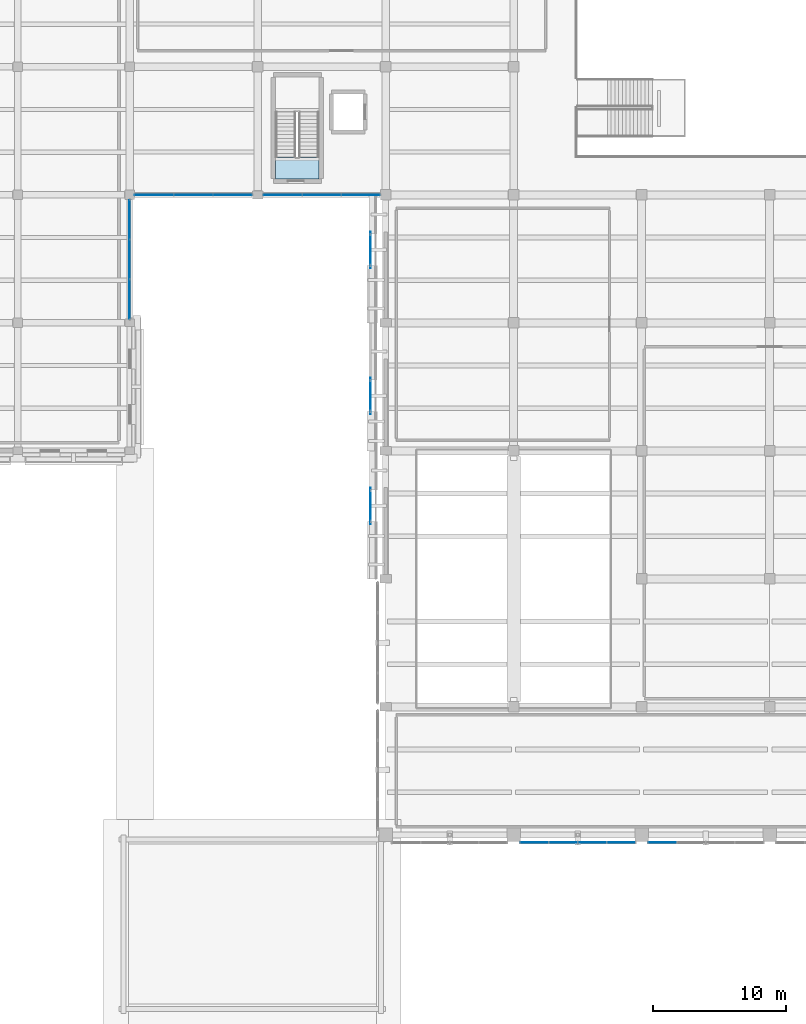
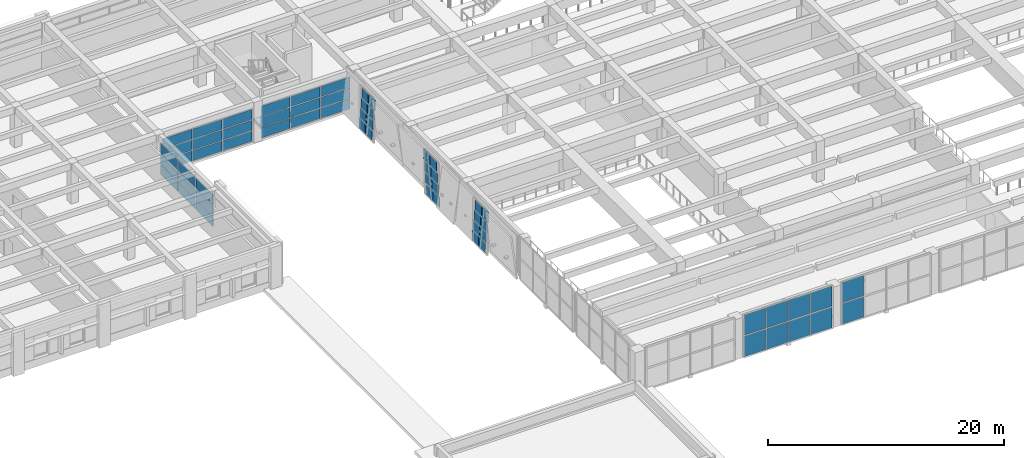
# One storey, part 25 of 49: 61 plates, 1 slab, 8 elements without a shape of their own.
"""IFC4 building model written with IfcOpenShell, lengths in metres."""

from ifc_helpers import new_model, si_unit, direction, frame, origin, origin_2d, place, context, subcontext, project, spatial, polyline, rectangle, outline, extrude, material, layer, layer_set, type_object, element, aggregate, save


model = new_model("IFC4")

# Units and contexts
model_context = context("Model", 3, precision=1e-05, world=origin(), true_north=direction((0.0, 1.0)))
body_context = subcontext(model_context, "Body", "Model", "MODEL_VIEW")
ifc_project = project(units=[si_unit("LENGTHUNIT", "METRE"), si_unit("AREAUNIT", "SQUARE_METRE"), si_unit("VOLUMEUNIT", "CUBIC_METRE"), si_unit("PLANEANGLEUNIT", "RADIAN"), si_unit("MASSUNIT", "GRAM", prefix="KILO")], contexts=[model_context])

# Site, building, storey
site_placement = place(None, origin())
site = spatial("IfcSite", under=ifc_project, at=site_placement, CompositionType="ELEMENT")
building_placement = place(site_placement, origin())
building = spatial("IfcBuilding", under=site, at=building_placement, Name="Bempovik Park Faculty of Sciences", CompositionType="ELEMENT")
storey_placement = place(building_placement, frame((0.0, 0.0, 5.39990234375)))
storey = spatial("IfcBuildingStorey", under=building, at=storey_placement, Name="L01", CompositionType="ELEMENT", Elevation=5.39990234375)

# Curtain wall, plates
ifc_material_1 = material(Name="Tempered laminated low-E glass", Category="glass")
ifc_layer_1 = layer(ifc_material_1, 0.159912109375)
ifc_layer_set_1 = layer_set([ifc_layer_1], Name="Tempered laminated low-E glass")
curtain_wall_type_1 = type_object("IfcCurtainWallType", Name="CW-48 Curtain 7200x4200", PredefinedType="USERDEFINED", material=ifc_layer_set_1)
curtain_wall_1_placement = place(storey_placement, origin())
curtain_wall_1 = element("IfcCurtainWall", 1, at=curtain_wall_1_placement, inside=storey, type_object=curtain_wall_type_1, Name="L01 Recessed Entrance Foyer Curtain Wall (69.6-79.2)", ObjectType="UNITISED CURTAIN WALL", PredefinedType="USERDEFINED")
ifc_layer_2 = layer(ifc_material_1, 0.0400390625)
ifc_layer_set_2 = layer_set([ifc_layer_2], Name="Tempered laminated low-E glass")
plate_type_1 = type_object("IfcPlateType", Name="CP-15 Curtain Panel 40mm", PredefinedType="CURTAIN_PANEL", material=ifc_layer_set_2)
plate_1_placement = place(storey_placement, frame((71.146484375, 19.219970703125, 0.1201171875), z_axis=(0.0, 0.0, 1.0), x_axis=(1.0, 0.0, 0.0)))
plate_1 = element("IfcPlate", 2, at=plate_1_placement, type_object=plate_type_1, Name="CW-FOY-L01-198-696 Panel 0-0", PredefinedType="CURTAIN_PANEL", context=body_context, shape_type="SweptSolid", body=[
    extrude(rectangle(XDim=2.089111328125, YDim=0.035888671875, at=origin_2d()), origin(), (0.0, 0.0, 1.0), 2.1298828125),
])
plate_2_placement = place(storey_placement, frame((71.146484375, 19.219970703125, 2.330078125), z_axis=(0.0, 0.0, 1.0), x_axis=(1.0, 0.0, 0.0)))
plate_2 = element("IfcPlate", 3, at=plate_2_placement, type_object=plate_type_1, Name="CW-FOY-L01-198-696 Panel 0-1", PredefinedType="CURTAIN_PANEL", context=body_context, shape_type="SweptSolid", body=[
    extrude(rectangle(XDim=2.089111328125, YDim=0.035888671875, at=origin_2d()), origin(), (0.0, 0.0, 1.0), 2.1298828125),
])
plate_3_placement = place(storey_placement, frame((73.3154296875, 19.219970703125, 0.1201171875), z_axis=(0.0, 0.0, 1.0), x_axis=(1.0, 0.0, 0.0)))
plate_3 = element("IfcPlate", 4, at=plate_3_placement, type_object=plate_type_1, Name="CW-FOY-L01-198-696 Panel 1-0", PredefinedType="CURTAIN_PANEL", context=body_context, shape_type="SweptSolid", body=[
    extrude(rectangle(XDim=2.089111328125, YDim=0.035888671875, at=origin_2d()), origin(), (0.0, 0.0, 1.0), 2.1298828125),
])
plate_4_placement = place(storey_placement, frame((73.3154296875, 19.219970703125, 2.330078125), z_axis=(0.0, 0.0, 1.0), x_axis=(1.0, 0.0, 0.0)))
plate_4 = element("IfcPlate", 5, at=plate_4_placement, type_object=plate_type_1, Name="CW-FOY-L01-198-696 Panel 1-1", PredefinedType="CURTAIN_PANEL", context=body_context, shape_type="SweptSolid", body=[
    extrude(rectangle(XDim=2.089111328125, YDim=0.035888671875, at=origin_2d()), origin(), (0.0, 0.0, 1.0), 2.1298828125),
])
plate_5_placement = place(storey_placement, frame((75.484619140625, 19.219970703125, 0.1201171875), z_axis=(0.0, 0.0, 1.0), x_axis=(1.0, 0.0, 0.0)))
plate_5 = element("IfcPlate", 6, at=plate_5_placement, type_object=plate_type_1, Name="CW-FOY-L01-198-696 Panel 2-0", PredefinedType="CURTAIN_PANEL", context=body_context, shape_type="SweptSolid", body=[
    extrude(rectangle(XDim=2.089111328125, YDim=0.035888671875, at=origin_2d()), origin(), (0.0, 0.0, 1.0), 2.1298828125),
])
plate_6_placement = place(storey_placement, frame((75.484619140625, 19.219970703125, 2.330078125), z_axis=(0.0, 0.0, 1.0), x_axis=(1.0, 0.0, 0.0)))
plate_6 = element("IfcPlate", 7, at=plate_6_placement, type_object=plate_type_1, Name="CW-FOY-L01-198-696 Panel 2-1", PredefinedType="CURTAIN_PANEL", context=body_context, shape_type="SweptSolid", body=[
    extrude(rectangle(XDim=2.089111328125, YDim=0.035888671875, at=origin_2d()), origin(), (0.0, 0.0, 1.0), 2.1298828125),
])
plate_7_placement = place(storey_placement, frame((77.653564453125, 19.219970703125, 0.1201171875), z_axis=(0.0, 0.0, 1.0), x_axis=(1.0, 0.0, 0.0)))
plate_7 = element("IfcPlate", 8, at=plate_7_placement, type_object=plate_type_1, Name="CW-FOY-L01-198-696 Panel 3-0", PredefinedType="CURTAIN_PANEL", context=body_context, shape_type="SweptSolid", body=[
    extrude(rectangle(XDim=2.089111328125, YDim=0.035888671875, at=origin_2d()), origin(), (0.0, 0.0, 1.0), 2.1298828125),
])
plate_8_placement = place(storey_placement, frame((77.653564453125, 19.219970703125, 2.330078125), z_axis=(0.0, 0.0, 1.0), x_axis=(1.0, 0.0, 0.0)))
plate_8 = element("IfcPlate", 9, at=plate_8_placement, type_object=plate_type_1, Name="CW-FOY-L01-198-696 Panel 3-1", PredefinedType="CURTAIN_PANEL", context=body_context, shape_type="SweptSolid", body=[
    extrude(rectangle(XDim=2.089111328125, YDim=0.035888671875, at=origin_2d()), origin(), (0.0, 0.0, 1.0), 2.1298828125),
])
aggregate(curtain_wall_1, [plate_1, plate_2, plate_3, plate_4, plate_5, plate_6, plate_7, plate_8])

curtain_wall_2_placement = place(storey_placement, origin())
curtain_wall_2 = element("IfcCurtainWall", 10, at=curtain_wall_2_placement, inside=storey, type_object=curtain_wall_type_1, Name="L01 Recessed Entrance Foyer Curtain Wall (79.2-88.8)", ObjectType="UNITISED CURTAIN WALL", PredefinedType="USERDEFINED")
plate_9_placement = place(storey_placement, frame((80.74658203125, 19.219970703125, 0.1201171875), z_axis=(0.0, 0.0, 1.0), x_axis=(1.0, 0.0, 0.0)))
plate_9 = element("IfcPlate", 11, at=plate_9_placement, type_object=plate_type_1, Name="CW-FOY-L01-198-792 Panel 0-0", PredefinedType="CURTAIN_PANEL", context=body_context, shape_type="SweptSolid", body=[
    extrude(rectangle(XDim=2.089111328125, YDim=0.035888671875, at=origin_2d()), origin(), (0.0, 0.0, 1.0), 2.1298828125),
])
plate_10_placement = place(storey_placement, frame((80.74658203125, 19.219970703125, 2.330078125), z_axis=(0.0, 0.0, 1.0), x_axis=(1.0, 0.0, 0.0)))
plate_10 = element("IfcPlate", 12, at=plate_10_placement, type_object=plate_type_1, Name="CW-FOY-L01-198-792 Panel 0-1", PredefinedType="CURTAIN_PANEL", context=body_context, shape_type="SweptSolid", body=[
    extrude(rectangle(XDim=2.089111328125, YDim=0.035888671875, at=origin_2d()), origin(), (0.0, 0.0, 1.0), 2.1298828125),
])
aggregate(curtain_wall_2, [plate_9, plate_10])

ifc_layer_3 = layer(ifc_material_1, 0.159912109375)
ifc_layer_set_3 = layer_set([ifc_layer_3], Name="Tempered laminated low-E glass")
curtain_wall_type_2 = type_object("IfcCurtainWallType", Name="CW-52 Curtain 6600x4100", PredefinedType="USERDEFINED", material=ifc_layer_set_3)
curtain_wall_3_placement = place(storey_placement, origin())
curtain_wall_3 = element("IfcCurtainWall", 13, at=curtain_wall_3_placement, inside=storey, type_object=curtain_wall_type_2, Name="L01 Unitised Curtain Wall (67.8,40.8)", ObjectType="UNITISED CURTAIN WALL", PredefinedType="USERDEFINED")
ifc_layer_4 = layer(ifc_material_1, 0.033935546875)
ifc_layer_set_4 = layer_set([ifc_layer_4], Name="Tempered laminated low-E glass")
plate_type_2 = type_object("IfcPlateType", Name="CP-19 Curtain Panel 34mm", PredefinedType="CURTAIN_PANEL", material=ifc_layer_set_4)
plate_11_placement = place(storey_placement, frame((42.634765625, 67.800048828125, 1.1669921875), z_axis=(0.0, 0.0, 1.0), x_axis=(1.0, 0.0, 0.0)))
plate_11 = element("IfcPlate", 14, at=plate_11_placement, type_object=plate_type_2, Name="CW-BAY-L01-678-408 Panel 0-1", PredefinedType="CURTAIN_PANEL", context=body_context, shape_type="SweptSolid", body=[
    extrude(rectangle(XDim=2.865234375, YDim=0.035888671875, at=origin_2d()), origin(), (0.0, 0.0, 1.0), 1.046630859375),
])
plate_12_placement = place(storey_placement, frame((42.634765625, 67.800048828125, 2.29345703125), z_axis=(0.0, 0.0, 1.0), x_axis=(1.0, 0.0, 0.0)))
plate_12 = element("IfcPlate", 15, at=plate_12_placement, type_object=plate_type_2, Name="CW-BAY-L01-678-408 Panel 0-2", PredefinedType="CURTAIN_PANEL", context=body_context, shape_type="SweptSolid", body=[
    extrude(rectangle(XDim=2.865234375, YDim=0.035888671875, at=origin_2d()), origin(), (0.0, 0.0, 1.0), 1.046630859375),
])
plate_13_placement = place(storey_placement, frame((45.580078125, 67.800048828125, 1.1669921875), z_axis=(0.0, 0.0, 1.0), x_axis=(1.0, 0.0, 0.0)))
plate_13 = element("IfcPlate", 16, at=plate_13_placement, type_object=plate_type_2, Name="CW-BAY-L01-678-408 Panel 1-1", PredefinedType="CURTAIN_PANEL", context=body_context, shape_type="SweptSolid", body=[
    extrude(rectangle(XDim=2.865234375, YDim=0.035888671875, at=origin_2d()), origin(), (0.0, 0.0, 1.0), 1.046630859375),
])
plate_14_placement = place(storey_placement, frame((45.580078125, 67.800048828125, 2.29345703125), z_axis=(0.0, 0.0, 1.0), x_axis=(1.0, 0.0, 0.0)))
plate_14 = element("IfcPlate", 17, at=plate_14_placement, type_object=plate_type_2, Name="CW-BAY-L01-678-408 Panel 1-2", PredefinedType="CURTAIN_PANEL", context=body_context, shape_type="SweptSolid", body=[
    extrude(rectangle(XDim=2.865234375, YDim=0.035888671875, at=origin_2d()), origin(), (0.0, 0.0, 1.0), 1.046630859375),
])
plate_15_placement = place(storey_placement, frame((48.525390625, 67.800048828125, 1.1669921875), z_axis=(0.0, 0.0, 1.0), x_axis=(1.0, 0.0, 0.0)))
plate_15 = element("IfcPlate", 18, at=plate_15_placement, type_object=plate_type_2, Name="CW-BAY-L01-678-408 Panel 2-1", PredefinedType="CURTAIN_PANEL", context=body_context, shape_type="SweptSolid", body=[
    extrude(rectangle(XDim=2.865234375, YDim=0.035888671875, at=origin_2d()), origin(), (0.0, 0.0, 1.0), 1.046630859375),
])
plate_16_placement = place(storey_placement, frame((48.525390625, 67.800048828125, 2.29345703125), z_axis=(0.0, 0.0, 1.0), x_axis=(1.0, 0.0, 0.0)))
plate_16 = element("IfcPlate", 19, at=plate_16_placement, type_object=plate_type_2, Name="CW-BAY-L01-678-408 Panel 2-2", PredefinedType="CURTAIN_PANEL", context=body_context, shape_type="SweptSolid", body=[
    extrude(rectangle(XDim=2.865234375, YDim=0.035888671875, at=origin_2d()), origin(), (0.0, 0.0, 1.0), 1.046630859375),
])

curtain_wall_4_placement = place(storey_placement, origin())
curtain_wall_4 = element("IfcCurtainWall", 20, at=curtain_wall_4_placement, inside=storey, type_object=curtain_wall_type_2, Name="L01 Unitised Curtain Wall (67.8,50.4)", ObjectType="UNITISED CURTAIN WALL", PredefinedType="USERDEFINED")
plate_17_placement = place(storey_placement, frame((52.26806640625, 67.800048828125, 1.1669921875), z_axis=(0.0, 0.0, 1.0), x_axis=(1.0, 0.0, 0.0)))
plate_17 = element("IfcPlate", 21, at=plate_17_placement, type_object=plate_type_2, Name="CW-BAY-L01-678-504 Panel 0-1", PredefinedType="CURTAIN_PANEL", context=body_context, shape_type="SweptSolid", body=[
    extrude(rectangle(XDim=2.85205078125, YDim=0.035888671875, at=origin_2d()), origin(), (0.0, 0.0, 1.0), 1.046630859375),
])
plate_18_placement = place(storey_placement, frame((52.26806640625, 67.800048828125, 2.29345703125), z_axis=(0.0, 0.0, 1.0), x_axis=(1.0, 0.0, 0.0)))
plate_18 = element("IfcPlate", 22, at=plate_18_placement, type_object=plate_type_2, Name="CW-BAY-L01-678-504 Panel 0-2", PredefinedType="CURTAIN_PANEL", context=body_context, shape_type="SweptSolid", body=[
    extrude(rectangle(XDim=2.85205078125, YDim=0.035888671875, at=origin_2d()), origin(), (0.0, 0.0, 1.0), 1.046630859375),
])
plate_19_placement = place(storey_placement, frame((55.199951171875, 67.800048828125, 1.1669921875), z_axis=(0.0, 0.0, 1.0), x_axis=(1.0, 0.0, 0.0)))
plate_19 = element("IfcPlate", 23, at=plate_19_placement, type_object=plate_type_2, Name="CW-BAY-L01-678-504 Panel 1-1", PredefinedType="CURTAIN_PANEL", context=body_context, shape_type="SweptSolid", body=[
    extrude(rectangle(XDim=2.85205078125, YDim=0.035888671875, at=origin_2d()), origin(), (0.0, 0.0, 1.0), 1.046630859375),
])
plate_20_placement = place(storey_placement, frame((55.199951171875, 67.800048828125, 2.29345703125), z_axis=(0.0, 0.0, 1.0), x_axis=(1.0, 0.0, 0.0)))
plate_20 = element("IfcPlate", 24, at=plate_20_placement, type_object=plate_type_2, Name="CW-BAY-L01-678-504 Panel 1-2", PredefinedType="CURTAIN_PANEL", context=body_context, shape_type="SweptSolid", body=[
    extrude(rectangle(XDim=2.85205078125, YDim=0.035888671875, at=origin_2d()), origin(), (0.0, 0.0, 1.0), 1.046630859375),
])
plate_21_placement = place(storey_placement, frame((58.132080078125, 67.800048828125, 1.1669921875), z_axis=(0.0, 0.0, 1.0), x_axis=(1.0, 0.0, 0.0)))
plate_21 = element("IfcPlate", 25, at=plate_21_placement, type_object=plate_type_2, Name="CW-BAY-L01-678-504 Panel 2-1", PredefinedType="CURTAIN_PANEL", context=body_context, shape_type="SweptSolid", body=[
    extrude(rectangle(XDim=2.85205078125, YDim=0.035888671875, at=origin_2d()), origin(), (0.0, 0.0, 1.0), 1.046630859375),
])
plate_22_placement = place(storey_placement, frame((58.132080078125, 67.800048828125, 2.29345703125), z_axis=(0.0, 0.0, 1.0), x_axis=(1.0, 0.0, 0.0)))
plate_22 = element("IfcPlate", 26, at=plate_22_placement, type_object=plate_type_2, Name="CW-BAY-L01-678-504 Panel 2-2", PredefinedType="CURTAIN_PANEL", context=body_context, shape_type="SweptSolid", body=[
    extrude(rectangle(XDim=2.85205078125, YDim=0.035888671875, at=origin_2d()), origin(), (0.0, 0.0, 1.0), 1.046630859375),
])

ifc_layer_5 = layer(ifc_material_1, 0.159912109375)
ifc_layer_set_5 = layer_set([ifc_layer_5], Name="Tempered laminated low-E glass")
curtain_wall_type_3 = type_object("IfcCurtainWallType", Name="CW-42 Curtain 6400x3700", PredefinedType="USERDEFINED", material=ifc_layer_set_5)
curtain_wall_5_placement = place(storey_placement, origin())
curtain_wall_5 = element("IfcCurtainWall", 27, at=curtain_wall_5_placement, inside=storey, type_object=curtain_wall_type_3, Name="L01 Unitised Curtain Wall (40.8,58.2)", ObjectType="UNITISED CURTAIN WALL", PredefinedType="USERDEFINED")
ifc_layer_6 = layer(ifc_material_1, 0.028076171875)
ifc_layer_set_6 = layer_set([ifc_layer_6], Name="Tempered laminated low-E glass")
plate_type_3 = type_object("IfcPlateType", Name="CP-20 Curtain Panel 28mm", PredefinedType="CURTAIN_PANEL", material=ifc_layer_set_6)
plate_23_placement = place(storey_placement, frame((40.800048828125, 59.96630859375, 1.1669921875), z_axis=(0.0, 0.0, 1.0), x_axis=(0.0, 1.0, 0.0)))
plate_23 = element("IfcPlate", 28, at=plate_23_placement, type_object=plate_type_3, Name="CW-BAY-L01-408-582 Panel 0-1", PredefinedType="CURTAIN_PANEL", context=body_context, shape_type="SweptSolid", body=[
    extrude(rectangle(XDim=2.90869140625, YDim=0.035888671875, at=origin_2d()), origin(), (0.0, 0.0, 1.0), 1.046630859375),
])
plate_24_placement = place(storey_placement, frame((40.800048828125, 59.96630859375, 2.29345703125), z_axis=(0.0, 0.0, 1.0), x_axis=(0.0, 1.0, 0.0)))
plate_24 = element("IfcPlate", 29, at=plate_24_placement, type_object=plate_type_3, Name="CW-BAY-L01-408-582 Panel 0-2", PredefinedType="CURTAIN_PANEL", context=body_context, shape_type="SweptSolid", body=[
    extrude(rectangle(XDim=2.90869140625, YDim=0.035888671875, at=origin_2d()), origin(), (0.0, 0.0, 1.0), 1.046630859375),
])
plate_25_placement = place(storey_placement, frame((40.800048828125, 62.955078125, 1.1669921875), z_axis=(0.0, 0.0, 1.0), x_axis=(0.0, 1.0, 0.0)))
plate_25 = element("IfcPlate", 30, at=plate_25_placement, type_object=plate_type_3, Name="CW-BAY-L01-408-582 Panel 1-1", PredefinedType="CURTAIN_PANEL", context=body_context, shape_type="SweptSolid", body=[
    extrude(rectangle(XDim=2.90869140625, YDim=0.035888671875, at=origin_2d()), origin(), (0.0, 0.0, 1.0), 1.046630859375),
])
plate_26_placement = place(storey_placement, frame((40.800048828125, 62.955078125, 2.29345703125), z_axis=(0.0, 0.0, 1.0), x_axis=(0.0, 1.0, 0.0)))
plate_26 = element("IfcPlate", 31, at=plate_26_placement, type_object=plate_type_3, Name="CW-BAY-L01-408-582 Panel 1-2", PredefinedType="CURTAIN_PANEL", context=body_context, shape_type="SweptSolid", body=[
    extrude(rectangle(XDim=2.90869140625, YDim=0.035888671875, at=origin_2d()), origin(), (0.0, 0.0, 1.0), 1.046630859375),
])
plate_27_placement = place(storey_placement, frame((40.800048828125, 65.943603515625, 1.1669921875), z_axis=(0.0, 0.0, 1.0), x_axis=(0.0, 1.0, 0.0)))
plate_27 = element("IfcPlate", 32, at=plate_27_placement, type_object=plate_type_3, Name="CW-BAY-L01-408-582 Panel 2-1", PredefinedType="CURTAIN_PANEL", context=body_context, shape_type="SweptSolid", body=[
    extrude(rectangle(XDim=2.90869140625, YDim=0.035888671875, at=origin_2d()), origin(), (0.0, 0.0, 1.0), 1.046630859375),
])
plate_28_placement = place(storey_placement, frame((40.800048828125, 65.943603515625, 2.29345703125), z_axis=(0.0, 0.0, 1.0), x_axis=(0.0, 1.0, 0.0)))
plate_28 = element("IfcPlate", 33, at=plate_28_placement, type_object=plate_type_3, Name="CW-BAY-L01-408-582 Panel 2-2", PredefinedType="CURTAIN_PANEL", context=body_context, shape_type="SweptSolid", body=[
    extrude(rectangle(XDim=2.90869140625, YDim=0.035888671875, at=origin_2d()), origin(), (0.0, 0.0, 1.0), 1.046630859375),
])

ifc_layer_7 = layer(ifc_material_1, 0.159912109375)
ifc_layer_set_7 = layer_set([ifc_layer_7], Name="Tempered laminated low-E glass")
curtain_wall_type_4 = type_object("IfcCurtainWallType", Name="CW-59 Curtain 2400x4500", PredefinedType="USERDEFINED", material=ifc_layer_set_7)
curtain_wall_6_placement = place(storey_placement, origin())
curtain_wall_6 = element("IfcCurtainWall", 34, at=curtain_wall_6_placement, inside=storey, type_object=curtain_wall_type_4, Name="L01 Crystal Slantwise Light Fold (60.0,39.0)", ObjectType="UNITISED CURTAIN WALL", PredefinedType="USERDEFINED")
ifc_layer_8 = layer(ifc_material_1, 0.035888671875)
ifc_layer_set_8 = layer_set([ifc_layer_8], Name="Tempered laminated low-E glass")
plate_type_4 = type_object("IfcPlateType", Name="CP-22 Curtain Panel 36mm", PredefinedType="CURTAIN_PANEL", material=ifc_layer_set_8)
plate_29_placement = place(storey_placement, frame((58.877197265625, 44.155029296875, 0.000244140625), z_axis=(0.0, 0.0, 1.0), x_axis=(0.0, 1.0, 0.0)))
plate_29 = element("IfcPlate", 35, at=plate_29_placement, type_object=plate_type_4, Name="CW-FOLD-L01-600-390 Panel 0-0", PredefinedType="CURTAIN_PANEL", context=body_context, shape_type="SweptSolid", body=[
    extrude(rectangle(XDim=1.070068359375, YDim=0.035888671875, at=origin_2d()), origin(), (0.0, 0.0, 1.0), 1.06494140625),
])
plate_30_placement = place(storey_placement, frame((58.877197265625, 43.985107421875, 1.14501953125), z_axis=(0.0, 0.0, 1.0), x_axis=(0.0, 1.0, 0.0)))
plate_30 = element("IfcPlate", 36, at=plate_30_placement, type_object=plate_type_4, Name="CW-FOLD-L01-600-390 Panel 0-1", PredefinedType="CURTAIN_PANEL", context=body_context, shape_type="SweptSolid", body=[
    extrude(rectangle(XDim=1.070068359375, YDim=0.035888671875, at=origin_2d()), origin(), (0.0, 0.0, 1.0), 1.06494140625),
])
plate_31_placement = place(storey_placement, frame((58.877197265625, 43.81494140625, 2.2900390625), z_axis=(0.0, 0.0, 1.0), x_axis=(0.0, 1.0, 0.0)))
plate_31 = element("IfcPlate", 37, at=plate_31_placement, type_object=plate_type_4, Name="CW-FOLD-L01-600-390 Panel 0-2", PredefinedType="CURTAIN_PANEL", context=body_context, shape_type="SweptSolid", body=[
    extrude(rectangle(XDim=1.070068359375, YDim=0.035888671875, at=origin_2d()), origin(), (0.0, 0.0, 1.0), 1.06494140625),
])
plate_32_placement = place(storey_placement, frame((58.877197265625, 43.64501953125, 3.43505859375), z_axis=(0.0, 0.0, 1.0), x_axis=(0.0, 1.0, 0.0)))
plate_32 = element("IfcPlate", 38, at=plate_32_placement, type_object=plate_type_4, Name="CW-FOLD-L01-600-390 Panel 0-3", PredefinedType="CURTAIN_PANEL", context=body_context, shape_type="SweptSolid", body=[
    extrude(rectangle(XDim=1.070068359375, YDim=0.035888671875, at=origin_2d()), origin(), (0.0, 0.0, 1.0), 1.06494140625),
])
plate_33_placement = place(storey_placement, frame((58.877197265625, 45.304931640625, 0.000244140625), z_axis=(0.0, 0.0, 1.0), x_axis=(0.0, 1.0, 0.0)))
plate_33 = element("IfcPlate", 39, at=plate_33_placement, type_object=plate_type_4, Name="CW-FOLD-L01-600-390 Panel 1-0", PredefinedType="CURTAIN_PANEL", context=body_context, shape_type="SweptSolid", body=[
    extrude(rectangle(XDim=1.070068359375, YDim=0.035888671875, at=origin_2d()), origin(), (0.0, 0.0, 1.0), 1.06494140625),
])
plate_34_placement = place(storey_placement, frame((58.877197265625, 45.135009765625, 1.14501953125), z_axis=(0.0, 0.0, 1.0), x_axis=(0.0, 1.0, 0.0)))
plate_34 = element("IfcPlate", 40, at=plate_34_placement, type_object=plate_type_4, Name="CW-FOLD-L01-600-390 Panel 1-1", PredefinedType="CURTAIN_PANEL", context=body_context, shape_type="SweptSolid", body=[
    extrude(rectangle(XDim=1.070068359375, YDim=0.035888671875, at=origin_2d()), origin(), (0.0, 0.0, 1.0), 1.06494140625),
])
plate_35_placement = place(storey_placement, frame((58.877197265625, 44.965087890625, 2.2900390625), z_axis=(0.0, 0.0, 1.0), x_axis=(0.0, 1.0, 0.0)))
plate_35 = element("IfcPlate", 41, at=plate_35_placement, type_object=plate_type_4, Name="CW-FOLD-L01-600-390 Panel 1-2", PredefinedType="CURTAIN_PANEL", context=body_context, shape_type="SweptSolid", body=[
    extrude(rectangle(XDim=1.070068359375, YDim=0.035888671875, at=origin_2d()), origin(), (0.0, 0.0, 1.0), 1.06494140625),
])
plate_36_placement = place(storey_placement, frame((58.877197265625, 44.794921875, 3.43505859375), z_axis=(0.0, 0.0, 1.0), x_axis=(0.0, 1.0, 0.0)))
plate_36 = element("IfcPlate", 42, at=plate_36_placement, type_object=plate_type_4, Name="CW-FOLD-L01-600-390 Panel 1-3", PredefinedType="CURTAIN_PANEL", context=body_context, shape_type="SweptSolid", body=[
    extrude(rectangle(XDim=1.070068359375, YDim=0.035888671875, at=origin_2d()), origin(), (0.0, 0.0, 1.0), 1.06494140625),
])
aggregate(curtain_wall_6, [plate_29, plate_30, plate_31, plate_32, plate_33, plate_34, plate_35, plate_36])

curtain_wall_7_placement = place(storey_placement, origin())
curtain_wall_7 = element("IfcCurtainWall", 43, at=curtain_wall_7_placement, inside=storey, type_object=curtain_wall_type_4, Name="L01 Crystal Slantwise Light Fold (60.0,48.6)", ObjectType="UNITISED CURTAIN WALL", PredefinedType="USERDEFINED")
plate_37_placement = place(storey_placement, frame((58.861328125, 51.89501953125, 0.000244140625), z_axis=(0.0, 0.0, 1.0), x_axis=(0.0, 1.0, 0.0)))
plate_37 = element("IfcPlate", 44, at=plate_37_placement, type_object=plate_type_4, Name="CW-FOLD-L01-600-486 Panel 0-0", PredefinedType="CURTAIN_PANEL", context=body_context, shape_type="SweptSolid", body=[
    extrude(rectangle(XDim=1.070068359375, YDim=0.035888671875, at=origin_2d()), origin(), (0.0, 0.0, 1.0), 1.06494140625),
])
plate_38_placement = place(storey_placement, frame((58.861328125, 52.06494140625, 1.14501953125), z_axis=(0.0, 0.0, 1.0), x_axis=(0.0, 1.0, 0.0)))
plate_38 = element("IfcPlate", 45, at=plate_38_placement, type_object=plate_type_4, Name="CW-FOLD-L01-600-486 Panel 0-1", PredefinedType="CURTAIN_PANEL", context=body_context, shape_type="SweptSolid", body=[
    extrude(rectangle(XDim=1.070068359375, YDim=0.035888671875, at=origin_2d()), origin(), (0.0, 0.0, 1.0), 1.06494140625),
])
plate_39_placement = place(storey_placement, frame((58.861328125, 52.235107421875, 2.2900390625), z_axis=(0.0, 0.0, 1.0), x_axis=(0.0, 1.0, 0.0)))
plate_39 = element("IfcPlate", 46, at=plate_39_placement, type_object=plate_type_4, Name="CW-FOLD-L01-600-486 Panel 0-2", PredefinedType="CURTAIN_PANEL", context=body_context, shape_type="SweptSolid", body=[
    extrude(rectangle(XDim=1.070068359375, YDim=0.035888671875, at=origin_2d()), origin(), (0.0, 0.0, 1.0), 1.06494140625),
])
plate_40_placement = place(storey_placement, frame((58.861328125, 52.405029296875, 3.43505859375), z_axis=(0.0, 0.0, 1.0), x_axis=(0.0, 1.0, 0.0)))
plate_40 = element("IfcPlate", 47, at=plate_40_placement, type_object=plate_type_4, Name="CW-FOLD-L01-600-486 Panel 0-3", PredefinedType="CURTAIN_PANEL", context=body_context, shape_type="SweptSolid", body=[
    extrude(rectangle(XDim=1.070068359375, YDim=0.035888671875, at=origin_2d()), origin(), (0.0, 0.0, 1.0), 1.06494140625),
])
plate_41_placement = place(storey_placement, frame((58.861328125, 53.044921875, 0.000244140625), z_axis=(0.0, 0.0, 1.0), x_axis=(0.0, 1.0, 0.0)))
plate_41 = element("IfcPlate", 48, at=plate_41_placement, type_object=plate_type_4, Name="CW-FOLD-L01-600-486 Panel 1-0", PredefinedType="CURTAIN_PANEL", context=body_context, shape_type="SweptSolid", body=[
    extrude(rectangle(XDim=1.070068359375, YDim=0.035888671875, at=origin_2d()), origin(), (0.0, 0.0, 1.0), 1.06494140625),
])
plate_42_placement = place(storey_placement, frame((58.861328125, 53.215087890625, 1.14501953125), z_axis=(0.0, 0.0, 1.0), x_axis=(0.0, 1.0, 0.0)))
plate_42 = element("IfcPlate", 49, at=plate_42_placement, type_object=plate_type_4, Name="CW-FOLD-L01-600-486 Panel 1-1", PredefinedType="CURTAIN_PANEL", context=body_context, shape_type="SweptSolid", body=[
    extrude(rectangle(XDim=1.070068359375, YDim=0.035888671875, at=origin_2d()), origin(), (0.0, 0.0, 1.0), 1.06494140625),
])
plate_43_placement = place(storey_placement, frame((58.861328125, 53.385009765625, 2.2900390625), z_axis=(0.0, 0.0, 1.0), x_axis=(0.0, 1.0, 0.0)))
plate_43 = element("IfcPlate", 50, at=plate_43_placement, type_object=plate_type_4, Name="CW-FOLD-L01-600-486 Panel 1-2", PredefinedType="CURTAIN_PANEL", context=body_context, shape_type="SweptSolid", body=[
    extrude(rectangle(XDim=1.070068359375, YDim=0.035888671875, at=origin_2d()), origin(), (0.0, 0.0, 1.0), 1.06494140625),
])
plate_44_placement = place(storey_placement, frame((58.861328125, 53.554931640625, 3.43505859375), z_axis=(0.0, 0.0, 1.0), x_axis=(0.0, 1.0, 0.0)))
plate_44 = element("IfcPlate", 51, at=plate_44_placement, type_object=plate_type_4, Name="CW-FOLD-L01-600-486 Panel 1-3", PredefinedType="CURTAIN_PANEL", context=body_context, shape_type="SweptSolid", body=[
    extrude(rectangle(XDim=1.070068359375, YDim=0.035888671875, at=origin_2d()), origin(), (0.0, 0.0, 1.0), 1.06494140625),
])
aggregate(curtain_wall_7, [plate_37, plate_38, plate_39, plate_40, plate_41, plate_42, plate_43, plate_44])

curtain_wall_8_placement = place(storey_placement, origin())
curtain_wall_8 = element("IfcCurtainWall", 52, at=curtain_wall_8_placement, inside=storey, type_object=curtain_wall_type_4, Name="L01 Crystal Slantwise Light Fold (60.0,58.2)", ObjectType="UNITISED CURTAIN WALL", PredefinedType="USERDEFINED")
plate_45_placement = place(storey_placement, frame((58.853515625, 63.35498046875, 0.000244140625), z_axis=(0.0, 0.0, 1.0), x_axis=(0.0, 1.0, 0.0)))
plate_45 = element("IfcPlate", 53, at=plate_45_placement, type_object=plate_type_4, Name="CW-FOLD-L01-600-582 Panel 0-0", PredefinedType="CURTAIN_PANEL", context=body_context, shape_type="SweptSolid", body=[
    extrude(rectangle(XDim=1.070068359375, YDim=0.035888671875, at=origin_2d()), origin(), (0.0, 0.0, 1.0), 1.06494140625),
])
plate_46_placement = place(storey_placement, frame((58.853515625, 63.18505859375, 1.14501953125), z_axis=(0.0, 0.0, 1.0), x_axis=(0.0, 1.0, 0.0)))
plate_46 = element("IfcPlate", 54, at=plate_46_placement, type_object=plate_type_4, Name="CW-FOLD-L01-600-582 Panel 0-1", PredefinedType="CURTAIN_PANEL", context=body_context, shape_type="SweptSolid", body=[
    extrude(rectangle(XDim=1.070068359375, YDim=0.035888671875, at=origin_2d()), origin(), (0.0, 0.0, 1.0), 1.06494140625),
])
plate_47_placement = place(storey_placement, frame((58.853515625, 63.014892578125, 2.2900390625), z_axis=(0.0, 0.0, 1.0), x_axis=(0.0, 1.0, 0.0)))
plate_47 = element("IfcPlate", 55, at=plate_47_placement, type_object=plate_type_4, Name="CW-FOLD-L01-600-582 Panel 0-2", PredefinedType="CURTAIN_PANEL", context=body_context, shape_type="SweptSolid", body=[
    extrude(rectangle(XDim=1.070068359375, YDim=0.035888671875, at=origin_2d()), origin(), (0.0, 0.0, 1.0), 1.06494140625),
])
plate_48_placement = place(storey_placement, frame((58.853515625, 62.844970703125, 3.43505859375), z_axis=(0.0, 0.0, 1.0), x_axis=(0.0, 1.0, 0.0)))
plate_48 = element("IfcPlate", 56, at=plate_48_placement, type_object=plate_type_4, Name="CW-FOLD-L01-600-582 Panel 0-3", PredefinedType="CURTAIN_PANEL", context=body_context, shape_type="SweptSolid", body=[
    extrude(rectangle(XDim=1.070068359375, YDim=0.035888671875, at=origin_2d()), origin(), (0.0, 0.0, 1.0), 1.06494140625),
])
plate_49_placement = place(storey_placement, frame((58.853515625, 64.5048828125, 0.000244140625), z_axis=(0.0, 0.0, 1.0), x_axis=(0.0, 1.0, 0.0)))
plate_49 = element("IfcPlate", 57, at=plate_49_placement, type_object=plate_type_4, Name="CW-FOLD-L01-600-582 Panel 1-0", PredefinedType="CURTAIN_PANEL", context=body_context, shape_type="SweptSolid", body=[
    extrude(rectangle(XDim=1.070068359375, YDim=0.035888671875, at=origin_2d()), origin(), (0.0, 0.0, 1.0), 1.06494140625),
])
plate_50_placement = place(storey_placement, frame((58.853515625, 64.3349609375, 1.14501953125), z_axis=(0.0, 0.0, 1.0), x_axis=(0.0, 1.0, 0.0)))
plate_50 = element("IfcPlate", 58, at=plate_50_placement, type_object=plate_type_4, Name="CW-FOLD-L01-600-582 Panel 1-1", PredefinedType="CURTAIN_PANEL", context=body_context, shape_type="SweptSolid", body=[
    extrude(rectangle(XDim=1.070068359375, YDim=0.035888671875, at=origin_2d()), origin(), (0.0, 0.0, 1.0), 1.06494140625),
])
plate_51_placement = place(storey_placement, frame((58.853515625, 64.1650390625, 2.2900390625), z_axis=(0.0, 0.0, 1.0), x_axis=(0.0, 1.0, 0.0)))
plate_51 = element("IfcPlate", 59, at=plate_51_placement, type_object=plate_type_4, Name="CW-FOLD-L01-600-582 Panel 1-2", PredefinedType="CURTAIN_PANEL", context=body_context, shape_type="SweptSolid", body=[
    extrude(rectangle(XDim=1.070068359375, YDim=0.035888671875, at=origin_2d()), origin(), (0.0, 0.0, 1.0), 1.06494140625),
])
plate_52_placement = place(storey_placement, frame((58.853515625, 63.9951171875, 3.43505859375), z_axis=(0.0, 0.0, 1.0), x_axis=(0.0, 1.0, 0.0)))
plate_52 = element("IfcPlate", 60, at=plate_52_placement, type_object=plate_type_4, Name="CW-FOLD-L01-600-582 Panel 1-3", PredefinedType="CURTAIN_PANEL", context=body_context, shape_type="SweptSolid", body=[
    extrude(rectangle(XDim=1.070068359375, YDim=0.035888671875, at=origin_2d()), origin(), (0.0, 0.0, 1.0), 1.06494140625),
])
aggregate(curtain_wall_8, [plate_45, plate_46, plate_47, plate_48, plate_49, plate_50, plate_51, plate_52])

# Plate
ifc_material_2 = material(Name="Anodised architectural bronze")
ifc_layer_9 = layer(ifc_material_2, 0.048095703125)
ifc_layer_set_9 = layer_set([ifc_layer_9], Name="Anodised architectural bronze")
plate_type_5 = type_object("IfcPlateType", Name="CP-24 Curtain Panel 48mm", PredefinedType="CURTAIN_PANEL", material=ifc_layer_set_9)
plate_53_placement = place(storey_placement, frame((42.634765625, 67.800048828125, 0.0400390625), z_axis=(0.0, 0.0, 1.0), x_axis=(1.0, 0.0, 0.0)))
plate_53 = element("IfcPlate", 61, at=plate_53_placement, type_object=plate_type_5, Name="CW-BAY-L01-678-408 Panel 0-0", PredefinedType="CURTAIN_PANEL", context=body_context, shape_type="SweptSolid", body=[
    extrude(rectangle(XDim=2.865234375, YDim=0.035888671875, at=origin_2d()), origin(), (0.0, 0.0, 1.0), 1.046630859375),
])

plate_54_placement = place(storey_placement, frame((45.580078125, 67.800048828125, 0.0400390625), z_axis=(0.0, 0.0, 1.0), x_axis=(1.0, 0.0, 0.0)))
plate_54 = element("IfcPlate", 62, at=plate_54_placement, type_object=plate_type_5, Name="CW-BAY-L01-678-408 Panel 1-0", PredefinedType="CURTAIN_PANEL", context=body_context, shape_type="SweptSolid", body=[
    extrude(rectangle(XDim=2.865234375, YDim=0.035888671875, at=origin_2d()), origin(), (0.0, 0.0, 1.0), 1.046630859375),
])

plate_55_placement = place(storey_placement, frame((48.525390625, 67.800048828125, 0.0400390625), z_axis=(0.0, 0.0, 1.0), x_axis=(1.0, 0.0, 0.0)))
plate_55 = element("IfcPlate", 63, at=plate_55_placement, type_object=plate_type_5, Name="CW-BAY-L01-678-408 Panel 2-0", PredefinedType="CURTAIN_PANEL", context=body_context, shape_type="SweptSolid", body=[
    extrude(rectangle(XDim=2.865234375, YDim=0.035888671875, at=origin_2d()), origin(), (0.0, 0.0, 1.0), 1.046630859375),
])

aggregate(curtain_wall_3, [plate_53, plate_11, plate_12, plate_54, plate_13, plate_14, plate_55, plate_15, plate_16])

plate_56_placement = place(storey_placement, frame((52.26806640625, 67.800048828125, 0.0400390625), z_axis=(0.0, 0.0, 1.0), x_axis=(1.0, 0.0, 0.0)))
plate_56 = element("IfcPlate", 64, at=plate_56_placement, type_object=plate_type_5, Name="CW-BAY-L01-678-504 Panel 0-0", PredefinedType="CURTAIN_PANEL", context=body_context, shape_type="SweptSolid", body=[
    extrude(rectangle(XDim=2.85205078125, YDim=0.035888671875, at=origin_2d()), origin(), (0.0, 0.0, 1.0), 1.046630859375),
])

plate_57_placement = place(storey_placement, frame((55.199951171875, 67.800048828125, 0.0400390625), z_axis=(0.0, 0.0, 1.0), x_axis=(1.0, 0.0, 0.0)))
plate_57 = element("IfcPlate", 65, at=plate_57_placement, type_object=plate_type_5, Name="CW-BAY-L01-678-504 Panel 1-0", PredefinedType="CURTAIN_PANEL", context=body_context, shape_type="SweptSolid", body=[
    extrude(rectangle(XDim=2.85205078125, YDim=0.035888671875, at=origin_2d()), origin(), (0.0, 0.0, 1.0), 1.046630859375),
])

plate_58_placement = place(storey_placement, frame((58.132080078125, 67.800048828125, 0.0400390625), z_axis=(0.0, 0.0, 1.0), x_axis=(1.0, 0.0, 0.0)))
plate_58 = element("IfcPlate", 66, at=plate_58_placement, type_object=plate_type_5, Name="CW-BAY-L01-678-504 Panel 2-0", PredefinedType="CURTAIN_PANEL", context=body_context, shape_type="SweptSolid", body=[
    extrude(rectangle(XDim=2.85205078125, YDim=0.035888671875, at=origin_2d()), origin(), (0.0, 0.0, 1.0), 1.046630859375),
])

aggregate(curtain_wall_4, [plate_56, plate_17, plate_18, plate_57, plate_19, plate_20, plate_58, plate_21, plate_22])

plate_59_placement = place(storey_placement, frame((40.800048828125, 59.96630859375, 0.0400390625), z_axis=(0.0, 0.0, 1.0), x_axis=(0.0, 1.0, 0.0)))
plate_59 = element("IfcPlate", 67, at=plate_59_placement, type_object=plate_type_5, Name="CW-BAY-L01-408-582 Panel 0-0", PredefinedType="CURTAIN_PANEL", context=body_context, shape_type="SweptSolid", body=[
    extrude(rectangle(XDim=2.90869140625, YDim=0.035888671875, at=origin_2d()), origin(), (0.0, 0.0, 1.0), 1.046630859375),
])

plate_60_placement = place(storey_placement, frame((40.800048828125, 62.955078125, 0.0400390625), z_axis=(0.0, 0.0, 1.0), x_axis=(0.0, 1.0, 0.0)))
plate_60 = element("IfcPlate", 68, at=plate_60_placement, type_object=plate_type_5, Name="CW-BAY-L01-408-582 Panel 1-0", PredefinedType="CURTAIN_PANEL", context=body_context, shape_type="SweptSolid", body=[
    extrude(rectangle(XDim=2.90869140625, YDim=0.035888671875, at=origin_2d()), origin(), (0.0, 0.0, 1.0), 1.046630859375),
])

plate_61_placement = place(storey_placement, frame((40.800048828125, 65.943603515625, 0.0400390625), z_axis=(0.0, 0.0, 1.0), x_axis=(0.0, 1.0, 0.0)))
plate_61 = element("IfcPlate", 69, at=plate_61_placement, type_object=plate_type_5, Name="CW-BAY-L01-408-582 Panel 2-0", PredefinedType="CURTAIN_PANEL", context=body_context, shape_type="SweptSolid", body=[
    extrude(rectangle(XDim=2.90869140625, YDim=0.035888671875, at=origin_2d()), origin(), (0.0, 0.0, 1.0), 1.046630859375),
])

aggregate(curtain_wall_5, [plate_59, plate_23, plate_24, plate_60, plate_25, plate_26, plate_61, plate_27, plate_28])

# Slab
ifc_material_3 = material(Name="Concrete C35/45", Category="concrete")
ifc_layer_10 = layer(ifc_material_3, 0.199951171875)
ifc_layer_set_10 = layer_set([ifc_layer_10], Name="Concrete C35/45")
slab_type = type_object("IfcSlabType", Name="S-41 Slab 200mm", PredefinedType="LANDING", material=ifc_layer_set_10)
slab_placement = place(storey_placement, frame((0.0, 0.0, -0.31982421875)))
element("IfcSlab", 70, at=slab_placement, inside=storey, type_object=slab_type, Name="L01 ST-4 Floor Landing Slab", PredefinedType="LANDING", context=body_context, shape_type="SweptSolid", body=[
    extrude(outline(polyline([(55.0, 69.0), (55.0, 70.625), (51.75, 70.625), (51.75, 69.0), (55.0, 69.0)])), origin(), (0.0, 0.0, 1.0), 0.31982421875),
])

save(model, "model.ifc")
